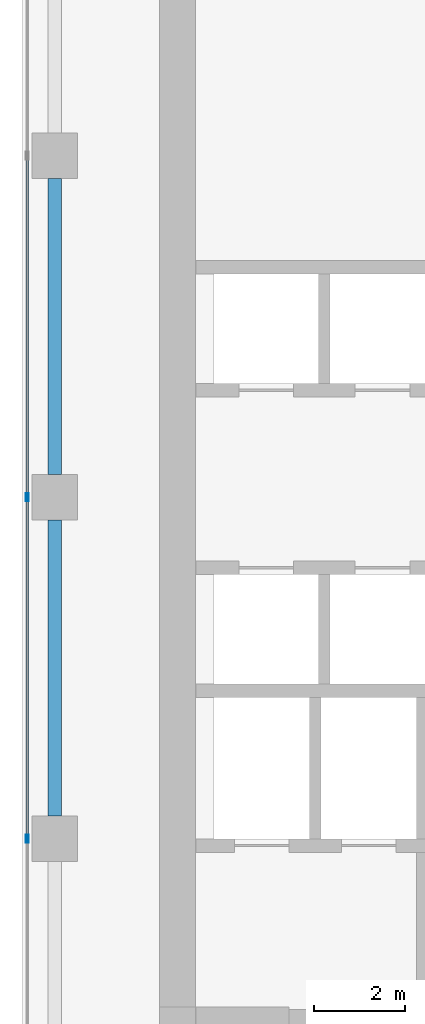
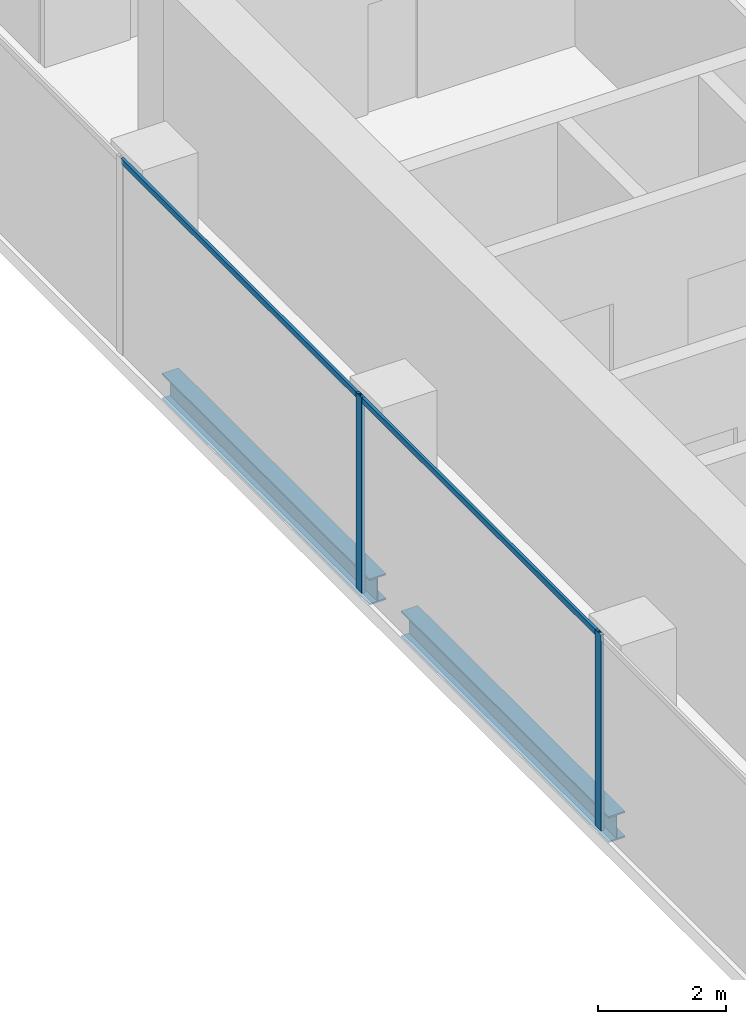
# One storey, part 8 of 38: 4 members, 2 beams, 1 element without a shape of its own.
"""IFC4 building model written with IfcOpenShell, lengths in metres."""

from ifc_helpers import new_model, si_unit, direction, frame, origin, origin_2d, place, context, subcontext, project, spatial, hollow_rectangle, i_section, extrude, source, transform, mapped, material, material_profile, profile_set, type_object, element, aggregate, save


model = new_model("IFC4")

# Units and contexts
model_context = context("Model", 3, precision=1e-05, world=origin(), true_north=direction((0.0, 1.0)))
body_context = subcontext(model_context, "Body", "Model", "MODEL_VIEW")
ifc_project = project(units=[si_unit("LENGTHUNIT", "METRE"), si_unit("AREAUNIT", "SQUARE_METRE"), si_unit("VOLUMEUNIT", "CUBIC_METRE"), si_unit("PLANEANGLEUNIT", "RADIAN"), si_unit("MASSUNIT", "GRAM", prefix="KILO")], contexts=[model_context])

# Site, building, storey
site_placement = place(None, origin())
site = spatial("IfcSite", under=ifc_project, at=site_placement, CompositionType="ELEMENT")
building_placement = place(site_placement, origin())
building = spatial("IfcBuilding", under=site, at=building_placement, Name="Khomas Fold Tower", CompositionType="ELEMENT")
storey_placement = place(building_placement, frame((0.0, 0.0, 208.699951171875)))
storey = spatial("IfcBuildingStorey", under=building, at=storey_placement, Name="L46", CompositionType="ELEMENT", Elevation=208.699951171875)

# Beams
ifc_material_1 = material(Name="Steel S355", Category="steel")
ifc_material_profile_1 = material_profile(ifc_material_1, i_section(OverallWidth=0.300048828125, OverallDepth=0.5, WebThickness=0.014404296875, FlangeThickness=0.028076171875, at=origin_2d()), Name="HE 500 B")
ifc_profile_set_1 = profile_set([ifc_material_profile_1], Name="Steel S355")
beam_type = type_object("IfcBeamType", Name="HE 500 B spandrel SB3", PredefinedType="SPANDREL", material=ifc_profile_set_1)
shared_shape_1 = source(origin(), body_context, "Body", "SweptSolid", [
    extrude(i_section(OverallWidth=0.300048828125, OverallDepth=0.5, WebThickness=0.014404296875, FlangeThickness=0.028076171875, at=origin_2d()), origin(), (0.0, 0.0, 1.0), 6.5),
])
for number, where, z_axis, x_axis, name in (
    (1, (3.699951171875, 27.5, -0.5), (0.0, 1.0, 0.0), (-1.0, 0.0, 0.0), "SB3"),
    (2, (3.699951171875, 20.0, -0.5), (0.0, 1.0, 0.0), (-1.0, 0.0, 0.0), "SB3"),
):
    element("IfcBeam", number, at=place(storey_placement, frame(where, z_axis=z_axis, x_axis=x_axis)), inside=storey, type_object=beam_type, Name=name, PredefinedType="SPANDREL", context=body_context, shape_type="MappedRepresentation", body=[
        mapped(shared_shape_1, transform((0.0, 0.0, 0.0))),
    ])

# Curtain wall, members
ifc_material_2 = material(Name="Aluminium framed double glazing", Category="aluminium")
curtain_wall_type = type_object("IfcCurtainWallType", Name="SK-Unitised clear-glass wall, office floors CW2", PredefinedType="NOTDEFINED", material=ifc_material_2)
curtain_wall_placement = place(storey_placement, origin())
curtain_wall = element("IfcCurtainWall", 3, at=curtain_wall_placement, inside=storey, type_object=curtain_wall_type, Name="CW2 run L46 09-0", PredefinedType="NOTDEFINED")
ifc_material_3 = material(Name="Aluminium", Category="aluminium")
ifc_material_profile_2 = material_profile(ifc_material_3, hollow_rectangle(XDim=0.06005859375, YDim=0.179931640625, WallThickness=0.00390625, at=origin_2d()), Name="SK-Unitised clear-glass wall, office floors mullion CW2-M")
ifc_profile_set_2 = profile_set([ifc_material_profile_2], Name="Aluminium")
member_type_1 = type_object("IfcMemberType", Name="SK-Unitised clear-glass wall, office floors mullion CW2-M", PredefinedType="MULLION", material=ifc_profile_set_2)
shared_shape_2 = source(origin(), body_context, "Body", "SweptSolid", [
    extrude(hollow_rectangle(XDim=0.06005859375, YDim=0.179931640625, WallThickness=0.00390625, at=origin_2d()), origin(), (0.0, 0.0, 1.0), 3.75),
])
member_1_placement = place(storey_placement, frame((3.10009765625, 27.0, 0.0), z_axis=(0.0, 0.0, 1.0), x_axis=(1.0, 0.0, 0.0)))
member_1 = element("IfcMember", 4, at=member_1_placement, type_object=member_type_1, Name="CW2 mullion 5", PredefinedType="MULLION", context=body_context, shape_type="MappedRepresentation", body=[
    mapped(shared_shape_2, transform((0.0, 0.0, 0.0))),
])
member_2_placement = place(storey_placement, frame((3.10009765625, 19.5, 0.0), z_axis=(0.0, 0.0, 1.0), x_axis=(1.0, 0.0, 0.0)))
member_2 = element("IfcMember", 5, at=member_2_placement, type_object=member_type_1, Name="CW2 mullion 6", PredefinedType="MULLION", context=body_context, shape_type="MappedRepresentation", body=[
    mapped(shared_shape_2, transform((0.0, 0.0, 0.0))),
])
ifc_material_4 = material(Name="Aluminium", Category="aluminium")
ifc_material_profile_3 = material_profile(ifc_material_4, hollow_rectangle(XDim=0.050048828125, YDim=0.110107421875, WallThickness=0.00390625, at=origin_2d()), Name="SK-Unitised clear-glass wall, office floors transom CW2-T")
ifc_profile_set_3 = profile_set([ifc_material_profile_3], Name="Aluminium")
member_type_2 = type_object("IfcMemberType", Name="SK-Unitised clear-glass wall, office floors transom CW2-T", PredefinedType="USERDEFINED", material=ifc_profile_set_3)
shared_shape_3 = source(origin(), body_context, "Body", "SweptSolid", [
    extrude(hollow_rectangle(XDim=0.050048828125, YDim=0.110107421875, WallThickness=0.00390625, at=origin_2d()), origin(), (0.0, 0.0, 1.0), 7.43994140625),
])
member_3_placement = place(storey_placement, frame((3.10009765625, 34.469970703125, 3.695068359375), z_axis=(0.0, -1.0, 0.0), x_axis=(1.0, 0.0, 0.0)))
member_3 = element("IfcMember", 6, at=member_3_placement, type_object=member_type_2, Name="CW2 transom 4", ObjectType="TRANSOM", PredefinedType="USERDEFINED", context=body_context, shape_type="MappedRepresentation", body=[
    mapped(shared_shape_3, transform((0.0, 0.0, 0.0))),
])
member_4_placement = place(storey_placement, frame((3.10009765625, 26.969970703125, 3.695068359375), z_axis=(0.0, -1.0, 0.0), x_axis=(1.0, 0.0, 0.0)))
member_4 = element("IfcMember", 7, at=member_4_placement, type_object=member_type_2, Name="CW2 transom 5", ObjectType="TRANSOM", PredefinedType="USERDEFINED", context=body_context, shape_type="MappedRepresentation", body=[
    mapped(shared_shape_3, transform((0.0, 0.0, 0.0))),
])
aggregate(curtain_wall, [member_1, member_2, member_3, member_4])

save(model, "model.ifc")
